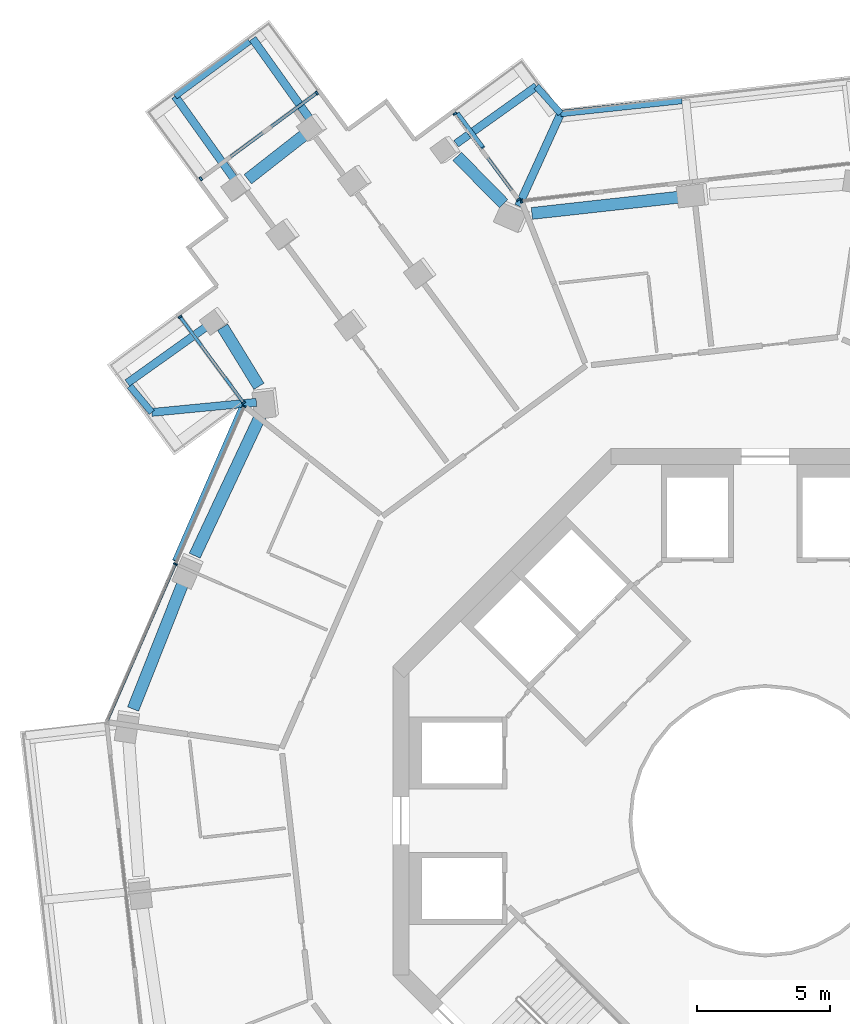
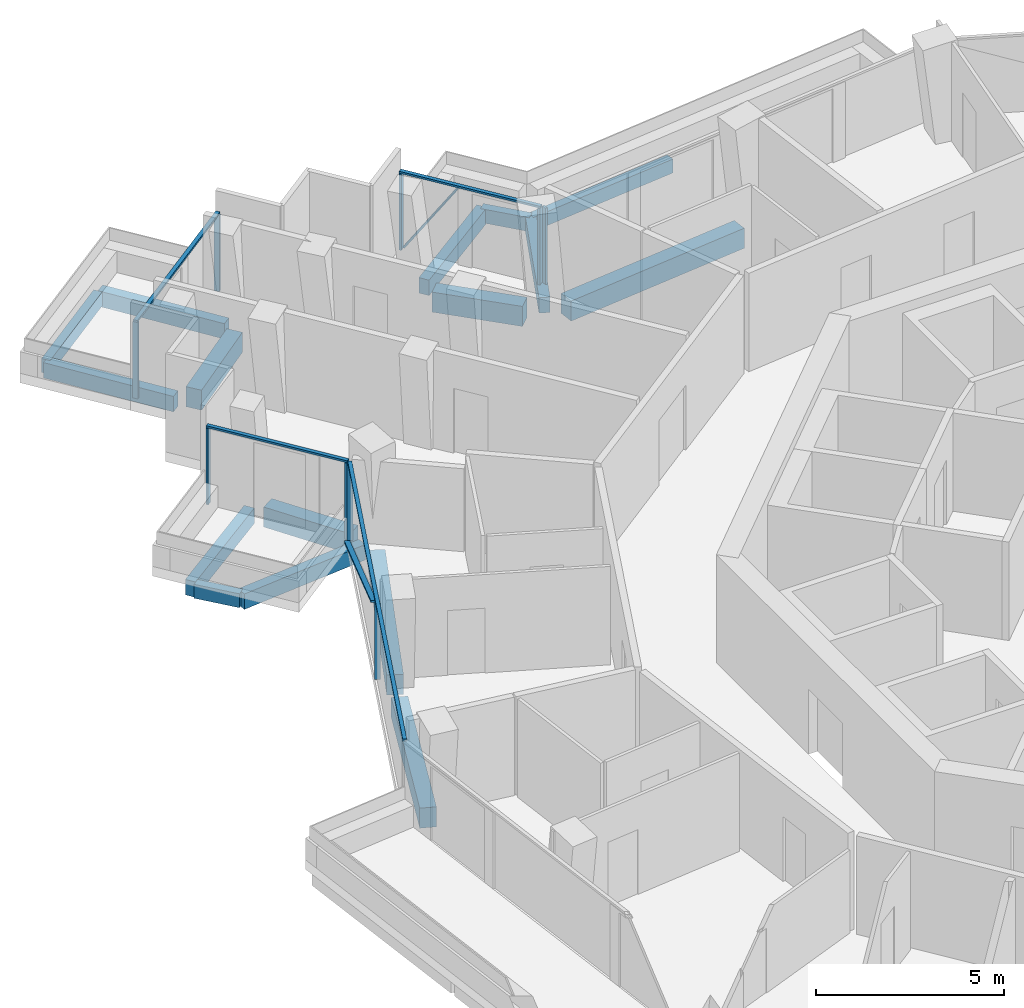
# One storey, part 7 of 23: 16 beams, 15 members, 5 elements without a shape of their own.
"""IFC4 building model written with IfcOpenShell, lengths in metres."""

from ifc_helpers import new_model, si_unit, direction, frame, origin, origin_2d, place, context, subcontext, project, spatial, rectangle, extrude, material, layer, layer_set, material_profile, profile_set, type_object, element, aggregate, save


model = new_model("IFC4")

# Units and contexts
model_context = context("Model", 3, precision=1e-05, world=origin(), true_north=direction((0.0, 1.0)))
body_context = subcontext(model_context, "Body", "Model", "MODEL_VIEW")
ifc_project = project(units=[si_unit("LENGTHUNIT", "METRE"), si_unit("AREAUNIT", "SQUARE_METRE"), si_unit("VOLUMEUNIT", "CUBIC_METRE"), si_unit("PLANEANGLEUNIT", "RADIAN"), si_unit("MASSUNIT", "GRAM", prefix="KILO")], contexts=[model_context])

# Site, building, storey
site_placement = place(None, origin())
site = spatial("IfcSite", under=ifc_project, at=site_placement, CompositionType="ELEMENT")
building_placement = place(site_placement, origin())
building = spatial("IfcBuilding", under=site, at=building_placement, Name="Verdalira Terraces Hotel", CompositionType="ELEMENT")
storey_placement = place(building_placement, frame((0.0, 0.0, 183.5)))
storey = spatial("IfcBuildingStorey", under=building, at=storey_placement, Name="L44", CompositionType="ELEMENT", Elevation=183.5)

# Beams
ifc_material_1 = material(Name="Concrete C40", Category="concrete")
ifc_material_profile_1 = material_profile(ifc_material_1, rectangle(XDim=0.300049, YDim=0.5, at=origin_2d()), Name="RC 300X500")
ifc_profile_set_1 = profile_set([ifc_material_profile_1], Name="Concrete C40")
beam_type_1 = type_object("IfcBeamType", Name="Balcony cantilever beam RC 300X500 C40", PredefinedType="BEAM", material=ifc_profile_set_1)
beam_1_placement = place(storey_placement, frame((-17.127441, 26.395752, -0.560059), z_axis=(-0.580969043, 0.813925654, 0.0), x_axis=(-0.813925654, -0.580969043, 0.0)))
element("IfcBeam", 1, at=beam_1_placement, inside=storey, type_object=beam_type_1, Name="Balcony cantilever beam R05-1", PredefinedType="BEAM", context=body_context, shape_type="SweptSolid", body=[
    extrude(rectangle(XDim=0.300049, YDim=0.5, at=origin_2d()), origin(), (0.0, 0.0, 1.0), 3.689941),
])
beam_2_placement = place(storey_placement, frame((-19.983887, 24.15332, -0.560059), z_axis=(-0.581006913, 0.813898622, 0.0), x_axis=(-0.813898622, -0.581006913, 0.0)))
element("IfcBeam", 2, at=beam_2_placement, inside=storey, type_object=beam_type_1, Name="Balcony cantilever beam R05-2", PredefinedType="BEAM", context=body_context, shape_type="SweptSolid", body=[
    extrude(rectangle(XDim=0.300049, YDim=0.5, at=origin_2d()), origin(), (0.0, 0.0, 1.0), 3.794922),
])
beam_3_placement = place(storey_placement, frame((-20.911133, 18.644043, -0.560059), z_axis=(-0.813908393, -0.580993226, 0.0), x_axis=(0.580993226, -0.813908393, 0.0)))
element("IfcBeam", 3, at=beam_3_placement, inside=storey, type_object=beam_type_1, Name="Balcony cantilever beam R10-1", PredefinedType="BEAM", context=body_context, shape_type="SweptSolid", body=[
    extrude(rectangle(XDim=0.300049, YDim=0.5, at=origin_2d()), origin(), (0.0, 0.0, 1.0), 3.771484),
])
beam_4_placement = place(storey_placement, frame((-19.128662, 15.731445, -0.560059), z_axis=(-0.99536453, -0.096174069, 0.0), x_axis=(0.096174069, -0.99536453, 0.0)))
element("IfcBeam", 4, at=beam_4_placement, inside=storey, type_object=beam_type_1, Name="Balcony cantilever beam R10-2", PredefinedType="BEAM", context=body_context, shape_type="SweptSolid", body=[
    extrude(rectangle(XDim=0.300049, YDim=0.5, at=origin_2d()), origin(), (0.0, 0.0, 1.0), 3.949951),
])
beam_5_placement = place(storey_placement, frame((-9.273193, 23.112305, -0.560059), z_axis=(0.414399943, 0.910094878, 0.0), x_axis=(-0.910094878, 0.414399943, 0.0)))
element("IfcBeam", 5, at=beam_5_placement, inside=storey, type_object=beam_type_1, Name="Balcony cantilever beam R41-3", PredefinedType="BEAM", context=body_context, shape_type="SweptSolid", body=[
    extrude(rectangle(XDim=0.300049, YDim=0.5, at=origin_2d()), origin(), (0.0, 0.0, 1.0), 3.820068),
])
beam_6_placement = place(storey_placement, frame((-11.620117, 25.45459, -0.560059), z_axis=(0.813897955, 0.581007847, 0.0), x_axis=(-0.581007847, 0.813897955, 0.0)))
element("IfcBeam", 6, at=beam_6_placement, inside=storey, type_object=beam_type_1, Name="Balcony cantilever beam R41-4", PredefinedType="BEAM", context=body_context, shape_type="SweptSolid", body=[
    extrude(rectangle(XDim=0.300049, YDim=0.5, at=origin_2d()), origin(), (0.0, 0.0, 1.0), 3.709961),
])
ifc_material_2 = material(Name="Concrete C40", Category="concrete")
ifc_material_profile_2 = material_profile(ifc_material_2, rectangle(XDim=0.25, YDim=0.449951, at=origin_2d()), Name="RC 250X450")
ifc_profile_set_2 = profile_set([ifc_material_profile_2], Name="Concrete C40")
beam_type_2 = type_object("IfcBeamType", Name="Balcony edge beam RC 250X450 C40", PredefinedType="BEAM", material=ifc_profile_set_2)
beam_7_placement = place(storey_placement, frame((-19.39209, 29.310059, -0.534912), z_axis=(-0.804033163, -0.594584454, 0.0), x_axis=(0.594584454, -0.804033163, 0.0)))
element("IfcBeam", 7, at=beam_7_placement, inside=storey, type_object=beam_type_2, Name="Balcony edge beam R05-1", PredefinedType="BEAM", context=body_context, shape_type="SweptSolid", body=[
    extrude(rectangle(XDim=0.25, YDim=0.449951, at=origin_2d()), origin(), (0.0, 0.0, 1.0), 3.478271),
])
beam_8_placement = place(storey_placement, frame((-23.884277, 16.337402, -0.534912), z_axis=(0.641305125, -0.767285955, 0.0), x_axis=(0.767285955, 0.641305125, 0.0)))
element("IfcBeam", 8, at=beam_8_placement, inside=storey, type_object=beam_type_2, Name="Balcony edge beam R10-1", PredefinedType="BEAM", context=body_context, shape_type="SweptSolid", body=[
    extrude(rectangle(XDim=0.25, YDim=0.449951, at=origin_2d()), origin(), (0.0, 0.0, 1.0), 1.284912),
])
beam_9_placement = place(storey_placement, frame((-3.130615, 27.079102, -0.534912), z_axis=(-0.99426961, -0.106901552, 0.0), x_axis=(0.106901552, -0.99426961, 0.0)))
element("IfcBeam", 9, at=beam_9_placement, inside=storey, type_object=beam_type_2, Name="Balcony edge beam R41-2", PredefinedType="BEAM", context=body_context, shape_type="SweptSolid", body=[
    extrude(rectangle(XDim=0.25, YDim=0.449951, at=origin_2d()), origin(), (0.0, 0.0, 1.0), 4.585938),
])
beam_10_placement = place(storey_placement, frame((-7.690186, 26.588867, -0.534912), z_axis=(-0.66543754, 0.746453535, 0.0), x_axis=(-0.746453535, -0.66543754, 0.0)))
element("IfcBeam", 10, at=beam_10_placement, inside=storey, type_object=beam_type_2, Name="Balcony edge beam R41-3", PredefinedType="BEAM", context=body_context, shape_type="SweptSolid", body=[
    extrude(rectangle(XDim=0.25, YDim=0.449951, at=origin_2d()), origin(), (0.0, 0.0, 1.0), 1.368164),
])

# Curtain wall, members
ifc_material_3 = material(Name="Clear glass", Category="glass")
ifc_layer_1 = layer(ifc_material_3, 0.14990234375)
ifc_layer_set_1 = layer_set([ifc_layer_1], Name="CW1 curtain wall")
curtain_wall_type_1 = type_object("IfcCurtainWallType", Name="CW1 curtain wall", PredefinedType="NOTDEFINED", material=ifc_layer_set_1)
curtain_wall_1_placement = place(storey_placement, origin())
curtain_wall_1 = element("IfcCurtainWall", 11, at=curtain_wall_1_placement, inside=storey, type_object=curtain_wall_type_1, Name="CW1 curtain wall L44 edge 11", PredefinedType="NOTDEFINED")
ifc_material_4 = material(Name="Terracotta frame", Category="masonry")
ifc_material_profile_3 = material_profile(ifc_material_4, rectangle(XDim=0.060059, YDim=0.149902, at=origin_2d()), Name="MU 60x150")
ifc_profile_set_3 = profile_set([ifc_material_profile_3], Name="Terracotta frame")
member_type_1 = type_object("IfcMemberType", Name="CW1 mullion 60x150", PredefinedType="MULLION", material=ifc_profile_set_3)
member_1_placement = place(storey_placement, frame((-19.592285, 15.583252, 0.0), z_axis=(0.0, 0.0, 1.0), x_axis=(-0.399069159, -0.916920829, 0.0)))
member_1 = element("IfcMember", 12, at=member_1_placement, type_object=member_type_1, Name="CW1 mullion", PredefinedType="MULLION", context=body_context, shape_type="SweptSolid", body=[
    extrude(rectangle(XDim=0.060059, YDim=0.149902, at=origin_2d()), origin(), (0.0, 0.0, 1.0), 2.475098),
])
member_2_placement = place(storey_placement, frame((-22.174316, 9.650879, 0.0), z_axis=(0.0, 0.0, 1.0), x_axis=(-0.399069159, -0.916920829, 0.0)))
member_2 = element("IfcMember", 13, at=member_2_placement, type_object=member_type_1, Name="CW1 mullion", PredefinedType="MULLION", context=body_context, shape_type="SweptSolid", body=[
    extrude(rectangle(XDim=0.060059, YDim=0.149902, at=origin_2d()), origin(), (0.0, 0.0, 1.0), 2.475098),
])

# Curtain wall, member
curtain_wall_2_placement = place(storey_placement, origin())
curtain_wall_2 = element("IfcCurtainWall", 14, at=curtain_wall_2_placement, inside=storey, type_object=curtain_wall_type_1, Name="CW1 curtain wall L44 edge 41", PredefinedType="NOTDEFINED")
member_3_placement = place(storey_placement, frame((-9.157959, 23.298584, 0.0), z_axis=(0.0, 0.0, 1.0), x_axis=(-0.993611311, -0.112856385, 0.0)))
member_3 = element("IfcMember", 15, at=member_3_placement, type_object=member_type_1, Name="CW1 mullion", PredefinedType="MULLION", context=body_context, shape_type="SweptSolid", body=[
    extrude(rectangle(XDim=0.060059, YDim=0.149902, at=origin_2d()), origin(), (0.0, 0.0, 1.0), 2.475098),
])
aggregate(curtain_wall_2, [member_3])

# Member
ifc_material_5 = material(Name="Terracotta frame", Category="masonry")
ifc_material_profile_4 = material_profile(ifc_material_5, rectangle(XDim=0.110107, YDim=0.064941, at=origin_2d()), Name="TR 65x110")
ifc_profile_set_4 = profile_set([ifc_material_profile_4], Name="Terracotta frame")
member_type_2 = type_object("IfcMemberType", Name="CW1 transom 65x110", PredefinedType="USERDEFINED", material=ifc_profile_set_4)
member_4_placement = place(storey_placement, frame((-19.580322, 15.61084, 2.507568), z_axis=(-0.399071882, -0.916919644, 0.0), x_axis=(0.916919644, -0.399071882, 0.0)))
member_4 = element("IfcMember", 16, at=member_4_placement, type_object=member_type_2, Name="CW1 transom", ObjectType="TRANSOM", PredefinedType="USERDEFINED", context=body_context, shape_type="SweptSolid", body=[
    extrude(rectangle(XDim=0.110107, YDim=0.064941, at=origin_2d()), origin(), (0.0, 0.0, 1.0), 12.959717),
])

# Curtain wall, members
ifc_material_6 = material(Name="Clear glass", Category="glass")
ifc_layer_2 = layer(ifc_material_6, 0.14990234375)
ifc_layer_set_2 = layer_set([ifc_layer_2], Name="CW2 curtain wall")
curtain_wall_type_2 = type_object("IfcCurtainWallType", Name="CW2 curtain wall", PredefinedType="NOTDEFINED", material=ifc_layer_set_2)
curtain_wall_3_placement = place(storey_placement, origin())
curtain_wall_3 = element("IfcCurtainWall", 17, at=curtain_wall_3_placement, inside=storey, type_object=curtain_wall_type_2, Name="CW2 curtain wall L44 edge 0", PredefinedType="NOTDEFINED")
ifc_material_7 = material(Name="Terracotta frame", Category="masonry")
ifc_material_profile_5 = material_profile(ifc_material_7, rectangle(XDim=0.070068, YDim=0.149902, at=origin_2d()), Name="MU 70x150")
ifc_profile_set_5 = profile_set([ifc_material_profile_5], Name="Terracotta frame")
member_type_3 = type_object("IfcMemberType", Name="CW2 mullion 70x150", PredefinedType="MULLION", material=ifc_profile_set_5)
member_5_placement = place(storey_placement, frame((-9.277344, 23.353271, 0.0), z_axis=(0.0, 0.0, 1.0), x_axis=(-0.594542152, 0.804064444, 0.0)))
member_5 = element("IfcMember", 18, at=member_5_placement, type_object=member_type_3, Name="CW2 mullion", PredefinedType="MULLION", context=body_context, shape_type="SweptSolid", body=[
    extrude(rectangle(XDim=0.070068, YDim=0.149902, at=origin_2d()), origin(), (0.0, 0.0, 1.0), 2.475098),
])
member_6_placement = place(storey_placement, frame((-11.66626, 26.584229, 0.0), z_axis=(0.0, 0.0, 1.0), x_axis=(-0.594542152, 0.804064444, 0.0)))
member_6 = element("IfcMember", 19, at=member_6_placement, type_object=member_type_3, Name="CW2 mullion", PredefinedType="MULLION", context=body_context, shape_type="SweptSolid", body=[
    extrude(rectangle(XDim=0.070068, YDim=0.149902, at=origin_2d()), origin(), (0.0, 0.0, 1.0), 2.475098),
])

curtain_wall_4_placement = place(storey_placement, origin())
curtain_wall_4 = element("IfcCurtainWall", 20, at=curtain_wall_4_placement, inside=storey, type_object=curtain_wall_type_2, Name="CW2 curtain wall L44 edge 10", PredefinedType="NOTDEFINED")
member_7_placement = place(storey_placement, frame((-21.998535, 18.944336, 0.0), z_axis=(0.0, 0.0, 1.0), x_axis=(0.594542152, -0.804064444, 0.0)))
member_7 = element("IfcMember", 21, at=member_7_placement, type_object=member_type_3, Name="CW2 mullion", PredefinedType="MULLION", context=body_context, shape_type="SweptSolid", body=[
    extrude(rectangle(XDim=0.070068, YDim=0.149902, at=origin_2d()), origin(), (0.0, 0.0, 1.0), 2.475098),
])
member_8_placement = place(storey_placement, frame((-19.609619, 15.713379, 0.0), z_axis=(0.0, 0.0, 1.0), x_axis=(0.594542152, -0.804064444, 0.0)))
member_8 = element("IfcMember", 22, at=member_8_placement, type_object=member_type_3, Name="CW2 mullion", PredefinedType="MULLION", context=body_context, shape_type="SweptSolid", body=[
    extrude(rectangle(XDim=0.070068, YDim=0.149902, at=origin_2d()), origin(), (0.0, 0.0, 1.0), 2.475098),
])

# Member
ifc_material_8 = material(Name="Terracotta frame", Category="masonry")
ifc_material_profile_6 = material_profile(ifc_material_8, rectangle(XDim=0.11499, YDim=0.064941, at=origin_2d()), Name="TR 65x115")
ifc_profile_set_6 = profile_set([ifc_material_profile_6], Name="Terracotta frame")
member_type_4 = type_object("IfcMemberType", Name="CW2 transom 65x115", PredefinedType="USERDEFINED", material=ifc_profile_set_6)
member_9_placement = place(storey_placement, frame((-9.256592, 23.325195, 2.507568), z_axis=(-0.594520351, 0.804080563, 0.0), x_axis=(-0.804080563, -0.594520351, 0.0)))
member_9 = element("IfcMember", 23, at=member_9_placement, type_object=member_type_4, Name="CW2 transom", ObjectType="TRANSOM", PredefinedType="USERDEFINED", context=body_context, shape_type="SweptSolid", body=[
    extrude(rectangle(XDim=0.11499, YDim=0.064941, at=origin_2d()), origin(), (0.0, 0.0, 1.0), 4.088135),
])

member_10_placement = place(storey_placement, frame((-22.019287, 18.972412, 2.507568), z_axis=(0.594558961, -0.804052014, 0.0), x_axis=(0.804052014, 0.594558961, 0.0)))
member_10 = element("IfcMember", 24, at=member_10_placement, type_object=member_type_4, Name="CW2 transom", ObjectType="TRANSOM", PredefinedType="USERDEFINED", context=body_context, shape_type="SweptSolid", body=[
    extrude(rectangle(XDim=0.11499, YDim=0.064941, at=origin_2d()), origin(), (0.0, 0.0, 1.0), 4.088135),
])

aggregate(curtain_wall_4, [member_7, member_8, member_10])

# Curtain wall, members
ifc_material_9 = material(Name="Clear glass", Category="glass")
ifc_layer_3 = layer(ifc_material_9, 0.14990234375)
ifc_layer_set_3 = layer_set([ifc_layer_3], Name="CW3 curtain wall")
curtain_wall_type_3 = type_object("IfcCurtainWallType", Name="CW3 curtain wall", PredefinedType="NOTDEFINED", material=ifc_layer_set_3)
curtain_wall_5_placement = place(storey_placement, origin())
curtain_wall_5 = element("IfcCurtainWall", 25, at=curtain_wall_5_placement, inside=storey, type_object=curtain_wall_type_3, Name="CW3 curtain wall L44 edge 5", PredefinedType="NOTDEFINED")
ifc_material_10 = material(Name="Terracotta frame", Category="masonry")
ifc_material_profile_7 = material_profile(ifc_material_10, rectangle(XDim=0.080078, YDim=0.149902, at=origin_2d()), Name="MU 80x150")
ifc_profile_set_7 = profile_set([ifc_material_profile_7], Name="Terracotta frame")
member_type_5 = type_object("IfcMemberType", Name="CW3 mullion 80x150", PredefinedType="MULLION", material=ifc_profile_set_7)
member_11_placement = place(storey_placement, frame((-16.859131, 27.358398, 0.0), z_axis=(0.0, 0.0, 1.0), x_axis=(-0.804064444, -0.594542152, 0.0)))
member_11 = element("IfcMember", 26, at=member_11_placement, type_object=member_type_5, Name="CW3 mullion", PredefinedType="MULLION", context=body_context, shape_type="SweptSolid", body=[
    extrude(rectangle(XDim=0.080078, YDim=0.149902, at=origin_2d()), origin(), (0.0, 0.0, 1.0), 2.475098),
])
member_12_placement = place(storey_placement, frame((-21.217041, 24.135986, 0.0), z_axis=(0.0, 0.0, 1.0), x_axis=(-0.804064444, -0.594542152, 0.0)))
member_12 = element("IfcMember", 27, at=member_12_placement, type_object=member_type_5, Name="CW3 mullion", PredefinedType="MULLION", context=body_context, shape_type="SweptSolid", body=[
    extrude(rectangle(XDim=0.080078, YDim=0.149902, at=origin_2d()), origin(), (0.0, 0.0, 1.0), 2.475098),
])
ifc_material_11 = material(Name="Terracotta frame", Category="masonry")
ifc_material_profile_8 = material_profile(ifc_material_11, rectangle(XDim=0.120117, YDim=0.064941, at=origin_2d()), Name="TR 65x120")
ifc_profile_set_8 = profile_set([ifc_material_profile_8], Name="Terracotta frame")
member_type_6 = type_object("IfcMemberType", Name="CW3 transom 65x120", PredefinedType="USERDEFINED", material=ifc_profile_set_8)
member_13_placement = place(storey_placement, frame((-16.826904, 27.382324, 2.507568), z_axis=(-0.804061735, -0.594545815, 0.0), x_axis=(0.594545815, -0.804061735, 0.0)))
member_13 = element("IfcMember", 28, at=member_13_placement, type_object=member_type_6, Name="CW3 transom", ObjectType="TRANSOM", PredefinedType="USERDEFINED", context=body_context, shape_type="SweptSolid", body=[
    extrude(rectangle(XDim=0.120117, YDim=0.064941, at=origin_2d()), origin(), (0.0, 0.0, 1.0), 5.5),
])
aggregate(curtain_wall_5, [member_11, member_12, member_13])

# Member
ifc_material_12 = material(Name="Terracotta frame", Category="masonry")
ifc_material_profile_9 = material_profile(ifc_material_12, rectangle(XDim=0.149902, YDim=0.060059, at=origin_2d()), Name="GB 60x150")
ifc_profile_set_9 = profile_set([ifc_material_profile_9], Name="Terracotta frame")
member_type_7 = type_object("IfcMemberType", Name="Diagonal glazing bar 60x150", PredefinedType="USERDEFINED", material=ifc_profile_set_9)
member_14_placement = place(storey_placement, frame((-10.610107, 25.308838, 2.435791), z_axis=(-0.328979532, 0.444975152, -0.832928317), x_axis=(-0.804102841, -0.59449022, 0.0)))
member_14 = element("IfcMember", 29, at=member_14_placement, type_object=member_type_7, Name="Diagonal glazing bar", ObjectType="GLAZING BAR", PredefinedType="USERDEFINED", context=body_context, shape_type="SweptSolid", body=[
    extrude(rectangle(XDim=0.149902, YDim=0.060059, at=origin_2d()), origin(), (0.0, 0.0, 1.0), 2.877197),
])

aggregate(curtain_wall_3, [member_5, member_6, member_9, member_14])

member_15_placement = place(storey_placement, frame((-19.715576, 15.523193, 0.028809), z_axis=(-0.372259521, -0.855389378, 0.360183093), x_axis=(0.916932383, -0.39904261, 0.0)))
member_15 = element("IfcMember", 30, at=member_15_placement, type_object=member_type_7, Name="Diagonal glazing bar", ObjectType="GLAZING BAR", PredefinedType="USERDEFINED", context=body_context, shape_type="SweptSolid", body=[
    extrude(rectangle(XDim=0.149902, YDim=0.060059, at=origin_2d()), origin(), (0.0, 0.0, 1.0), 6.711914),
])

aggregate(curtain_wall_1, [member_1, member_2, member_4, member_15])

# Beams
ifc_material_13 = material(Name="Concrete C50", Category="concrete")
ifc_material_profile_10 = material_profile(ifc_material_13, rectangle(XDim=0.449951, YDim=0.649902, at=origin_2d()), Name="RC 450X650")
ifc_profile_set_10 = profile_set([ifc_material_profile_10], Name="Concrete C50")
beam_type_3 = type_object("IfcBeamType", Name="Spandrel beam RC 450X650 C50", PredefinedType="SPANDREL", material=ifc_profile_set_10)
beam_11_placement = place(storey_placement, frame((-9.831055, 23.197998, -0.63501), z_axis=(-0.700968407, 0.713192325, 0.0), x_axis=(-0.713192325, -0.700968407, 0.0)))
element("IfcBeam", 31, at=beam_11_placement, inside=storey, type_object=beam_type_3, Name="Spandrel beam B01", PredefinedType="SPANDREL", context=body_context, shape_type="SweptSolid", body=[
    extrude(rectangle(XDim=0.449951, YDim=0.649902, at=origin_2d()), origin(), (0.0, 0.0, 1.0), 2.496582),
])
beam_12_placement = place(storey_placement, frame((-17.166748, 25.906494, -0.63501), z_axis=(-0.787554713, -0.616244735, 0.0), x_axis=(0.616244735, -0.787554713, 0.0)))
element("IfcBeam", 32, at=beam_12_placement, inside=storey, type_object=beam_type_3, Name="Spandrel beam B02", PredefinedType="SPANDREL", context=body_context, shape_type="SweptSolid", body=[
    extrude(rectangle(XDim=0.449951, YDim=0.649902, at=origin_2d()), origin(), (0.0, 0.0, 1.0), 2.901611),
])
beam_13_placement = place(storey_placement, frame((-20.397461, 18.55542, -0.63501), z_axis=(0.523042482, -0.852306613, 0.0), x_axis=(0.852306613, 0.523042482, 0.0)))
element("IfcBeam", 33, at=beam_13_placement, inside=storey, type_object=beam_type_3, Name="Spandrel beam B03", PredefinedType="SPANDREL", context=body_context, shape_type="SweptSolid", body=[
    extrude(rectangle(XDim=0.449951, YDim=0.649902, at=origin_2d()), origin(), (0.0, 0.0, 1.0), 2.609131),
])
beam_14_placement = place(storey_placement, frame((-18.975586, 15.225098, -0.63501), z_axis=(-0.425412735, -0.90499945, 0.0), x_axis=(0.90499945, -0.425412735, 0.0)))
element("IfcBeam", 34, at=beam_14_placement, inside=storey, type_object=beam_type_3, Name="Spandrel beam B04", PredefinedType="SPANDREL", context=body_context, shape_type="SweptSolid", body=[
    extrude(rectangle(XDim=0.449951, YDim=0.649902, at=origin_2d()), origin(), (0.0, 0.0, 1.0), 5.813477),
])
beam_15_placement = place(storey_placement, frame((-21.854736, 9.023926, -0.63501), z_axis=(-0.368095056, -0.929788164, 0.0), x_axis=(0.929788164, -0.368095056, 0.0)))
element("IfcBeam", 35, at=beam_15_placement, inside=storey, type_object=beam_type_3, Name="Spandrel beam B05", PredefinedType="SPANDREL", context=body_context, shape_type="SweptSolid", body=[
    extrude(rectangle(XDim=0.449951, YDim=0.649902, at=origin_2d()), origin(), (0.0, 0.0, 1.0), 5.189209),
])
beam_16_placement = place(storey_placement, frame((-3.10083, 23.459229, -0.63501), z_axis=(-0.993951372, -0.109821081, 0.0), x_axis=(0.109821081, -0.993951372, 0.0)))
element("IfcBeam", 36, at=beam_16_placement, inside=storey, type_object=beam_type_3, Name="Spandrel beam B23", PredefinedType="SPANDREL", context=body_context, shape_type="SweptSolid", body=[
    extrude(rectangle(XDim=0.449951, YDim=0.649902, at=origin_2d()), origin(), (0.0, 0.0, 1.0), 5.706543),
])

save(model, "model.ifc")
